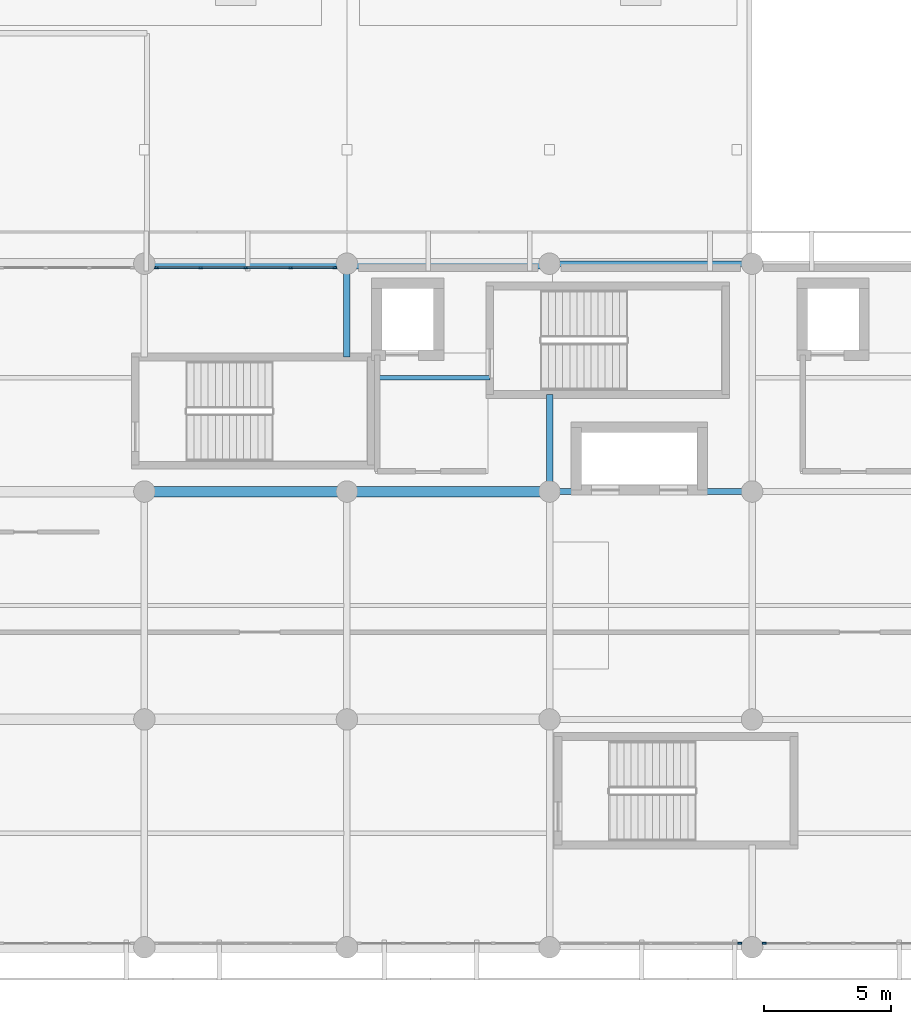
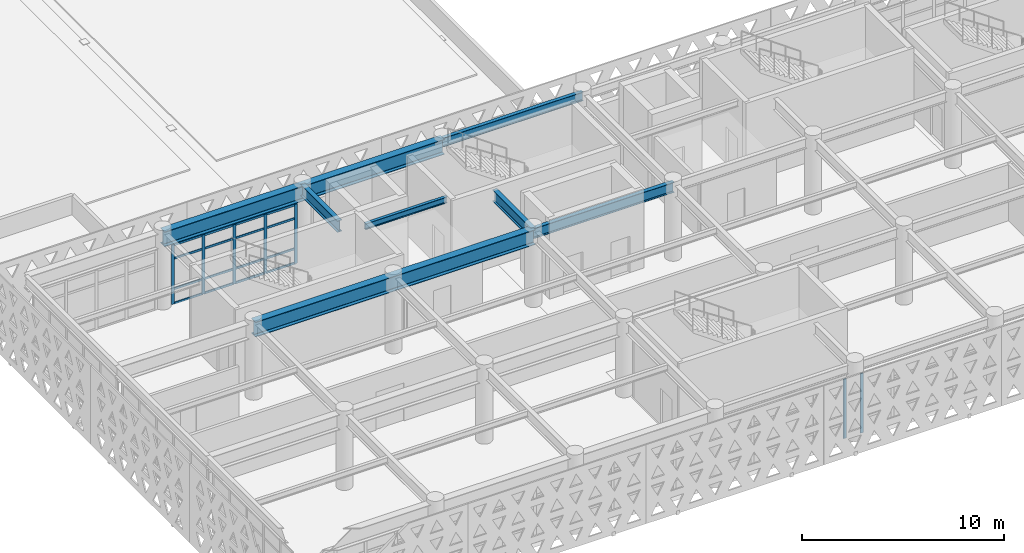
# One storey, part 10 of 54: 23 members, 7 beams, 3 elements without a shape of their own.
"""IFC4 building model written with IfcOpenShell, lengths in metres."""

from ifc_helpers import new_model, si_unit, direction, frame, origin, origin_2d, place, context, subcontext, project, spatial, rectangle, i_section, extrude, material, layer, layer_set, material_profile, profile_set, type_object, element, aggregate, save


model = new_model("IFC4")

# Units and contexts
model_context = context("Model", 3, precision=1e-05, world=origin(), true_north=direction((0.0, 1.0)))
body_context = subcontext(model_context, "Body", "Model", "MODEL_VIEW")
ifc_project = project(units=[si_unit("LENGTHUNIT", "METRE"), si_unit("AREAUNIT", "SQUARE_METRE"), si_unit("VOLUMEUNIT", "CUBIC_METRE"), si_unit("PLANEANGLEUNIT", "RADIAN"), si_unit("MASSUNIT", "GRAM", prefix="KILO")], contexts=[model_context])

# Site, building, storey
site_placement = place(None, origin())
site = spatial("IfcSite", under=ifc_project, at=site_placement, CompositionType="ELEMENT")
building_placement = place(site_placement, origin())
building = spatial("IfcBuilding", under=site, at=building_placement, Name="Tlacozan Convention Centre", CompositionType="ELEMENT")
storey_placement = place(building_placement, frame((0.0, 0.0, 11.39990234375)))
storey = spatial("IfcBuildingStorey", under=building, at=storey_placement, Name="L02", CompositionType="ELEMENT", Elevation=11.39990234375)

# Curtain wall, member
ifc_material_1 = material(Name="Dark Bronze Anodised Aluminium", Category="aluminium")
ifc_layer = layer(ifc_material_1, 0.159912109375)
ifc_layer_set = layer_set([ifc_layer], Name="Dark Bronze Anodised Aluminium")
curtain_wall_type = type_object("IfcCurtainWallType", Name="Unitised Congress L02 South CW03", PredefinedType="NOTDEFINED", material=ifc_layer_set)
curtain_wall_1_placement = place(storey_placement, origin())
curtain_wall_1 = element("IfcCurtainWall", 1, at=curtain_wall_1_placement, inside=storey, type_object=curtain_wall_type, Name="L02 CW-03 Run 81", PredefinedType="NOTDEFINED")
ifc_material_profile_1 = material_profile(ifc_material_1, rectangle(XDim=0.06494140625, YDim=0.159912109375, at=origin_2d()), Name="ALU 65x160")
ifc_profile_set_1 = profile_set([ifc_material_profile_1], Name="Dark Bronze Anodised Aluminium")
member_type_1 = type_object("IfcMemberType", Name="Curtain Wall Mullion 65x160", PredefinedType="MULLION", material=ifc_profile_set_1)
member_1_placement = place(storey_placement, frame((31.517578125, 0.159912109375, 0.0), z_axis=(0.0, 0.0, 1.0), x_axis=(0.0, 1.0, 0.0)))
member_1 = element("IfcMember", 2, at=member_1_placement, type_object=member_type_1, Name="CW-03 mullion 5", PredefinedType="MULLION", context=body_context, shape_type="SweptSolid", body=[
    extrude(rectangle(XDim=0.06494140625, YDim=0.159912109375, at=origin_2d()), origin(), (0.0, 0.0, 1.0), 3.590087890625),
])
aggregate(curtain_wall_1, [member_1])

curtain_wall_2_placement = place(storey_placement, origin())
curtain_wall_2 = element("IfcCurtainWall", 3, at=curtain_wall_2_placement, inside=storey, type_object=curtain_wall_type, Name="L02 CW-03 Run 82", PredefinedType="NOTDEFINED")
member_2_placement = place(storey_placement, frame((32.482421875, 0.159912109375, 0.0), z_axis=(0.0, 0.0, 1.0), x_axis=(0.0, 1.0, 0.0)))
member_2 = element("IfcMember", 4, at=member_2_placement, type_object=member_type_1, Name="CW-03 mullion 1", PredefinedType="MULLION", context=body_context, shape_type="SweptSolid", body=[
    extrude(rectangle(XDim=0.06494140625, YDim=0.159912109375, at=origin_2d()), origin(), (0.0, 0.0, 1.0), 3.590087890625),
])
aggregate(curtain_wall_2, [member_2])

# Curtain wall, members
curtain_wall_3_placement = place(storey_placement, origin())
curtain_wall_3 = element("IfcCurtainWall", 5, at=curtain_wall_3_placement, inside=storey, type_object=curtain_wall_type, Name="L02 CW-03 Run 94", PredefinedType="NOTDEFINED")
member_3_placement = place(storey_placement, frame((8.482421875, 26.840087890625, 0.0), z_axis=(0.0, 0.0, 1.0), x_axis=(0.0, 1.0, 0.0)))
member_3 = element("IfcMember", 6, at=member_3_placement, type_object=member_type_1, Name="CW-03 mullion 1", PredefinedType="MULLION", context=body_context, shape_type="SweptSolid", body=[
    extrude(rectangle(XDim=0.06494140625, YDim=0.159912109375, at=origin_2d()), origin(), (0.0, 0.0, 1.0), 3.590087890625),
])
member_4_placement = place(storey_placement, frame((10.22509765625, 26.840087890625, 0.0), z_axis=(0.0, 0.0, 1.0), x_axis=(0.0, 1.0, 0.0)))
member_4 = element("IfcMember", 7, at=member_4_placement, type_object=member_type_1, Name="CW-03 mullion 2", PredefinedType="MULLION", context=body_context, shape_type="SweptSolid", body=[
    extrude(rectangle(XDim=0.06494140625, YDim=0.159912109375, at=origin_2d()), origin(), (0.0, 0.0, 1.0), 3.590087890625),
])
member_5_placement = place(storey_placement, frame((12.0, 26.840087890625, 0.0), z_axis=(0.0, 0.0, 1.0), x_axis=(0.0, 1.0, 0.0)))
member_5 = element("IfcMember", 8, at=member_5_placement, type_object=member_type_1, Name="CW-03 mullion 3", PredefinedType="MULLION", context=body_context, shape_type="SweptSolid", body=[
    extrude(rectangle(XDim=0.06494140625, YDim=0.159912109375, at=origin_2d()), origin(), (0.0, 0.0, 1.0), 3.590087890625),
])
member_6_placement = place(storey_placement, frame((13.77490234375, 26.840087890625, 0.0), z_axis=(0.0, 0.0, 1.0), x_axis=(0.0, 1.0, 0.0)))
member_6 = element("IfcMember", 9, at=member_6_placement, type_object=member_type_1, Name="CW-03 mullion 4", PredefinedType="MULLION", context=body_context, shape_type="SweptSolid", body=[
    extrude(rectangle(XDim=0.06494140625, YDim=0.159912109375, at=origin_2d()), origin(), (0.0, 0.0, 1.0), 3.590087890625),
])
member_7_placement = place(storey_placement, frame((15.517578125, 26.840087890625, 0.0), z_axis=(0.0, 0.0, 1.0), x_axis=(0.0, 1.0, 0.0)))
member_7 = element("IfcMember", 10, at=member_7_placement, type_object=member_type_1, Name="CW-03 mullion 5", PredefinedType="MULLION", context=body_context, shape_type="SweptSolid", body=[
    extrude(rectangle(XDim=0.06494140625, YDim=0.159912109375, at=origin_2d()), origin(), (0.0, 0.0, 1.0), 3.590087890625),
])
ifc_material_profile_2 = material_profile(ifc_material_1, rectangle(XDim=0.06494140625, YDim=0.125, at=origin_2d()), Name="ALU 65x125")
ifc_profile_set_2 = profile_set([ifc_material_profile_2], Name="Dark Bronze Anodised Aluminium")
member_type_2 = type_object("IfcMemberType", Name="Curtain Wall Transom 65x125", PredefinedType="USERDEFINED", material=ifc_profile_set_2)
member_8_placement = place(storey_placement, frame((8.514892578125, 26.840087890625, 0.03271484375), z_axis=(1.0, 0.0, 0.0), x_axis=(0.0, 1.0, 0.0)))
member_8 = element("IfcMember", 11, at=member_8_placement, type_object=member_type_2, Name="CW-03 transom 1.1", ObjectType="TRANSOM", PredefinedType="USERDEFINED", context=body_context, shape_type="SweptSolid", body=[
    extrude(rectangle(XDim=0.06494140625, YDim=0.125, at=origin_2d()), origin(), (0.0, 0.0, 1.0), 1.677490234375),
])
member_9_placement = place(storey_placement, frame((8.514892578125, 26.840087890625, 0.900146484375), z_axis=(1.0, 0.0, 0.0), x_axis=(0.0, 1.0, 0.0)))
member_9 = element("IfcMember", 12, at=member_9_placement, type_object=member_type_2, Name="CW-03 transom 1.2", ObjectType="TRANSOM", PredefinedType="USERDEFINED", context=body_context, shape_type="SweptSolid", body=[
    extrude(rectangle(XDim=0.06494140625, YDim=0.125, at=origin_2d()), origin(), (0.0, 0.0, 1.0), 1.677490234375),
])
member_10_placement = place(storey_placement, frame((8.514892578125, 26.840087890625, 2.739990234375), z_axis=(1.0, 0.0, 0.0), x_axis=(0.0, 1.0, 0.0)))
member_10 = element("IfcMember", 13, at=member_10_placement, type_object=member_type_2, Name="CW-03 transom 1.3", ObjectType="TRANSOM", PredefinedType="USERDEFINED", context=body_context, shape_type="SweptSolid", body=[
    extrude(rectangle(XDim=0.06494140625, YDim=0.125, at=origin_2d()), origin(), (0.0, 0.0, 1.0), 1.677490234375),
])
member_11_placement = place(storey_placement, frame((8.514892578125, 26.840087890625, 3.5576171875), z_axis=(1.0, 0.0, 0.0), x_axis=(0.0, 1.0, 0.0)))
member_11 = element("IfcMember", 14, at=member_11_placement, type_object=member_type_2, Name="CW-03 transom 1.4", ObjectType="TRANSOM", PredefinedType="USERDEFINED", context=body_context, shape_type="SweptSolid", body=[
    extrude(rectangle(XDim=0.06494140625, YDim=0.125, at=origin_2d()), origin(), (0.0, 0.0, 1.0), 1.677490234375),
])
member_12_placement = place(storey_placement, frame((10.257568359375, 26.840087890625, 0.03271484375), z_axis=(1.0, 0.0, 0.0), x_axis=(0.0, 1.0, 0.0)))
member_12 = element("IfcMember", 15, at=member_12_placement, type_object=member_type_2, Name="CW-03 transom 2.1", ObjectType="TRANSOM", PredefinedType="USERDEFINED", context=body_context, shape_type="SweptSolid", body=[
    extrude(rectangle(XDim=0.06494140625, YDim=0.125, at=origin_2d()), origin(), (0.0, 0.0, 1.0), 1.7099609375),
])
member_13_placement = place(storey_placement, frame((10.257568359375, 26.840087890625, 0.900146484375), z_axis=(1.0, 0.0, 0.0), x_axis=(0.0, 1.0, 0.0)))
member_13 = element("IfcMember", 16, at=member_13_placement, type_object=member_type_2, Name="CW-03 transom 2.2", ObjectType="TRANSOM", PredefinedType="USERDEFINED", context=body_context, shape_type="SweptSolid", body=[
    extrude(rectangle(XDim=0.06494140625, YDim=0.125, at=origin_2d()), origin(), (0.0, 0.0, 1.0), 1.7099609375),
])
member_14_placement = place(storey_placement, frame((10.257568359375, 26.840087890625, 2.739990234375), z_axis=(1.0, 0.0, 0.0), x_axis=(0.0, 1.0, 0.0)))
member_14 = element("IfcMember", 17, at=member_14_placement, type_object=member_type_2, Name="CW-03 transom 2.3", ObjectType="TRANSOM", PredefinedType="USERDEFINED", context=body_context, shape_type="SweptSolid", body=[
    extrude(rectangle(XDim=0.06494140625, YDim=0.125, at=origin_2d()), origin(), (0.0, 0.0, 1.0), 1.7099609375),
])
member_15_placement = place(storey_placement, frame((10.257568359375, 26.840087890625, 3.5576171875), z_axis=(1.0, 0.0, 0.0), x_axis=(0.0, 1.0, 0.0)))
member_15 = element("IfcMember", 18, at=member_15_placement, type_object=member_type_2, Name="CW-03 transom 2.4", ObjectType="TRANSOM", PredefinedType="USERDEFINED", context=body_context, shape_type="SweptSolid", body=[
    extrude(rectangle(XDim=0.06494140625, YDim=0.125, at=origin_2d()), origin(), (0.0, 0.0, 1.0), 1.7099609375),
])
member_16_placement = place(storey_placement, frame((12.032470703125, 26.840087890625, 0.03271484375), z_axis=(1.0, 0.0, 0.0), x_axis=(0.0, 1.0, 0.0)))
member_16 = element("IfcMember", 19, at=member_16_placement, type_object=member_type_2, Name="CW-03 transom 3.1", ObjectType="TRANSOM", PredefinedType="USERDEFINED", context=body_context, shape_type="SweptSolid", body=[
    extrude(rectangle(XDim=0.06494140625, YDim=0.125, at=origin_2d()), origin(), (0.0, 0.0, 1.0), 1.7099609375),
])
member_17_placement = place(storey_placement, frame((12.032470703125, 26.840087890625, 0.900146484375), z_axis=(1.0, 0.0, 0.0), x_axis=(0.0, 1.0, 0.0)))
member_17 = element("IfcMember", 20, at=member_17_placement, type_object=member_type_2, Name="CW-03 transom 3.2", ObjectType="TRANSOM", PredefinedType="USERDEFINED", context=body_context, shape_type="SweptSolid", body=[
    extrude(rectangle(XDim=0.06494140625, YDim=0.125, at=origin_2d()), origin(), (0.0, 0.0, 1.0), 1.7099609375),
])
member_18_placement = place(storey_placement, frame((12.032470703125, 26.840087890625, 2.739990234375), z_axis=(1.0, 0.0, 0.0), x_axis=(0.0, 1.0, 0.0)))
member_18 = element("IfcMember", 21, at=member_18_placement, type_object=member_type_2, Name="CW-03 transom 3.3", ObjectType="TRANSOM", PredefinedType="USERDEFINED", context=body_context, shape_type="SweptSolid", body=[
    extrude(rectangle(XDim=0.06494140625, YDim=0.125, at=origin_2d()), origin(), (0.0, 0.0, 1.0), 1.7099609375),
])
member_19_placement = place(storey_placement, frame((12.032470703125, 26.840087890625, 3.5576171875), z_axis=(1.0, 0.0, 0.0), x_axis=(0.0, 1.0, 0.0)))
member_19 = element("IfcMember", 22, at=member_19_placement, type_object=member_type_2, Name="CW-03 transom 3.4", ObjectType="TRANSOM", PredefinedType="USERDEFINED", context=body_context, shape_type="SweptSolid", body=[
    extrude(rectangle(XDim=0.06494140625, YDim=0.125, at=origin_2d()), origin(), (0.0, 0.0, 1.0), 1.7099609375),
])
member_20_placement = place(storey_placement, frame((13.8076171875, 26.840087890625, 0.03271484375), z_axis=(1.0, 0.0, 0.0), x_axis=(0.0, 1.0, 0.0)))
member_20 = element("IfcMember", 23, at=member_20_placement, type_object=member_type_2, Name="CW-03 transom 4.1", ObjectType="TRANSOM", PredefinedType="USERDEFINED", context=body_context, shape_type="SweptSolid", body=[
    extrude(rectangle(XDim=0.06494140625, YDim=0.125, at=origin_2d()), origin(), (0.0, 0.0, 1.0), 1.677490234375),
])
member_21_placement = place(storey_placement, frame((13.8076171875, 26.840087890625, 0.900146484375), z_axis=(1.0, 0.0, 0.0), x_axis=(0.0, 1.0, 0.0)))
member_21 = element("IfcMember", 24, at=member_21_placement, type_object=member_type_2, Name="CW-03 transom 4.2", ObjectType="TRANSOM", PredefinedType="USERDEFINED", context=body_context, shape_type="SweptSolid", body=[
    extrude(rectangle(XDim=0.06494140625, YDim=0.125, at=origin_2d()), origin(), (0.0, 0.0, 1.0), 1.677490234375),
])
member_22_placement = place(storey_placement, frame((13.8076171875, 26.840087890625, 2.739990234375), z_axis=(1.0, 0.0, 0.0), x_axis=(0.0, 1.0, 0.0)))
member_22 = element("IfcMember", 25, at=member_22_placement, type_object=member_type_2, Name="CW-03 transom 4.3", ObjectType="TRANSOM", PredefinedType="USERDEFINED", context=body_context, shape_type="SweptSolid", body=[
    extrude(rectangle(XDim=0.06494140625, YDim=0.125, at=origin_2d()), origin(), (0.0, 0.0, 1.0), 1.677490234375),
])
member_23_placement = place(storey_placement, frame((13.8076171875, 26.840087890625, 3.5576171875), z_axis=(1.0, 0.0, 0.0), x_axis=(0.0, 1.0, 0.0)))
member_23 = element("IfcMember", 26, at=member_23_placement, type_object=member_type_2, Name="CW-03 transom 4.4", ObjectType="TRANSOM", PredefinedType="USERDEFINED", context=body_context, shape_type="SweptSolid", body=[
    extrude(rectangle(XDim=0.06494140625, YDim=0.125, at=origin_2d()), origin(), (0.0, 0.0, 1.0), 1.677490234375),
])
aggregate(curtain_wall_3, [member_3, member_4, member_5, member_6, member_7, member_8, member_9, member_10, member_11, member_12, member_13, member_14, member_15, member_16, member_17, member_18, member_19, member_20, member_21, member_22, member_23])

# Beams
ifc_material_2 = material(Name="Steel ASTM A992 Grade 50", Category="steel")
ifc_material_profile_3 = material_profile(ifc_material_2, i_section(OverallWidth=0.22900390625, OverallDepth=0.612060546875, WebThickness=0.011962890625, FlangeThickness=0.01953125, FilletRadius=0.012939453125, at=origin_2d()), Name="IR 610x125.0")
ifc_profile_set_3 = profile_set([ifc_material_profile_3], Name="Steel ASTM A992 Grade 50")
beam_type_1 = type_object("IfcBeamType", Name="Floor Beam IR 610x125", PredefinedType="BEAM", material=ifc_profile_set_3)
beam_1_placement = place(storey_placement, frame((24.0, 18.0, 4.244140625), z_axis=(1.0, 0.0, 0.0), x_axis=(0.0, 1.0, 0.0)))
element("IfcBeam", 27, at=beam_1_placement, inside=storey, type_object=beam_type_1, Name="L02 Floor Beam IR 610x125 466", PredefinedType="BEAM", context=body_context, shape_type="SweptSolid", body=[
    extrude(i_section(OverallWidth=0.22900390625, OverallDepth=0.612060546875, WebThickness=0.011962890625, FlangeThickness=0.01953125, FilletRadius=0.012939453125, at=origin_2d()), origin(), (0.0, 0.0, 1.0), 8.0),
])
ifc_material_profile_4 = material_profile(ifc_material_2, i_section(OverallWidth=0.256103515625, OverallDepth=0.693115234375, WebThickness=0.014404296875, FlangeThickness=0.023681640625, FilletRadius=0.014892578125, at=origin_2d()), Name="IR 686x170.0")
ifc_profile_set_4 = profile_set([ifc_material_profile_4], Name="Steel ASTM A992 Grade 50")
beam_type_2 = type_object("IfcBeamType", Name="Girder Steel IR 686x170", PredefinedType="BEAM", material=ifc_profile_set_4)
beam_2_placement = place(storey_placement, frame((16.0, 23.320068359375, 4.20361328125), z_axis=(0.0, 1.0, 0.0), x_axis=(-1.0, 0.0, 0.0)))
element("IfcBeam", 28, at=beam_2_placement, inside=storey, type_object=beam_type_2, Name="L02 Girder Steel IR 686x170 405", PredefinedType="BEAM", context=body_context, shape_type="SweptSolid", body=[
    extrude(i_section(OverallWidth=0.256103515625, OverallDepth=0.693115234375, WebThickness=0.014404296875, FlangeThickness=0.023681640625, FilletRadius=0.014892578125, at=origin_2d()), origin(), (0.0, 0.0, 1.0), 3.679931640625),
])
beam_3_placement = place(storey_placement, frame((24.0, 18.0, 4.20361328125), z_axis=(0.0, 1.0, 0.0), x_axis=(-1.0, 0.0, 0.0)))
element("IfcBeam", 29, at=beam_3_placement, inside=storey, type_object=beam_type_2, Name="L02 Girder Steel IR 686x170 408", PredefinedType="BEAM", context=body_context, shape_type="SweptSolid", body=[
    extrude(i_section(OverallWidth=0.256103515625, OverallDepth=0.693115234375, WebThickness=0.014404296875, FlangeThickness=0.023681640625, FilletRadius=0.014892578125, at=origin_2d()), origin(), (0.0, 0.0, 1.0), 3.840087890625),
])
ifc_material_profile_5 = material_profile(ifc_material_2, i_section(OverallWidth=0.2109375, OverallDepth=0.5390625, WebThickness=0.01171875, FlangeThickness=0.018798828125, FilletRadius=0.012939453125, at=origin_2d()), Name="IR 533x109.0")
ifc_profile_set_5 = profile_set([ifc_material_profile_5], Name="Steel ASTM A992 Grade 50")
beam_type_3 = type_object("IfcBeamType", Name="Perimeter Spandrel IR 533x109", PredefinedType="SPANDREL", material=ifc_profile_set_5)
beam_4_placement = place(storey_placement, frame((24.0, 27.0, 4.280517578125), z_axis=(1.0, 0.0, 0.0), x_axis=(0.0, 1.0, 0.0)))
element("IfcBeam", 30, at=beam_4_placement, inside=storey, type_object=beam_type_3, Name="L02 Perimeter Spandrel IR 533x109 467", PredefinedType="SPANDREL", context=body_context, shape_type="SweptSolid", body=[
    extrude(i_section(OverallWidth=0.2109375, OverallDepth=0.5390625, WebThickness=0.01171875, FlangeThickness=0.018798828125, FilletRadius=0.012939453125, at=origin_2d()), origin(), (0.0, 0.0, 1.0), 8.0),
])
ifc_material_profile_6 = material_profile(ifc_material_2, i_section(OverallWidth=0.173095703125, OverallDepth=0.364013671875, WebThickness=0.009033203125, FlangeThickness=0.015625, FilletRadius=0.010009765625, at=origin_2d()), Name="IR 356x67.1")
ifc_profile_set_6 = profile_set([ifc_material_profile_6], Name="Steel ASTM A992 Grade 50")
beam_type_4 = type_object("IfcBeamType", Name="Secondary Joist IR 356x67.1", PredefinedType="JOIST", material=ifc_profile_set_6)
beam_5_placement = place(storey_placement, frame((16.9599609375, 22.5, 4.3681640625), z_axis=(1.0, 0.0, 0.0), x_axis=(0.0, 1.0, 0.0)))
element("IfcBeam", 31, at=beam_5_placement, inside=storey, type_object=beam_type_4, Name="L02 Secondary Joist IR 356x67.1 507", PredefinedType="JOIST", context=body_context, shape_type="SweptSolid", body=[
    extrude(i_section(OverallWidth=0.173095703125, OverallDepth=0.364013671875, WebThickness=0.009033203125, FlangeThickness=0.015625, FilletRadius=0.010009765625, at=origin_2d()), origin(), (0.0, 0.0, 1.0), 4.679931640625),
])
ifc_material_profile_7 = material_profile(ifc_material_2, i_section(OverallWidth=0.41796875, OverallDepth=0.912109375, WebThickness=0.019287109375, FlangeThickness=0.031982421875, FilletRadius=0.02001953125, at=origin_2d()), Name="IR 914x342.0")
ifc_profile_set_7 = profile_set([ifc_material_profile_7], Name="Steel ASTM A992 Grade 50")
beam_type_5 = type_object("IfcBeamType", Name="Transfer Girder IR 914x342", PredefinedType="BEAM", material=ifc_profile_set_7)
for number, where, z_axis, x_axis, name in (
    (32, (24.0, 18.0, 4.093994140625), (-1.0, 0.0, 0.0), (0.0, -1.0, 0.0), "L02 Transfer Girder IR 914x342 456"),
    (33, (24.0, 27.0, 4.093994140625), (-1.0, 0.0, 0.0), (0.0, -1.0, 0.0), "L02 Transfer Girder IR 914x342 460"),
):
    element("IfcBeam", number, at=place(storey_placement, frame(where, z_axis=z_axis, x_axis=x_axis)), inside=storey, type_object=beam_type_5, Name=name, PredefinedType="BEAM", context=body_context, shape_type="SweptSolid", body=[
        extrude(i_section(OverallWidth=0.41796875, OverallDepth=0.912109375, WebThickness=0.019287109375, FlangeThickness=0.031982421875, FilletRadius=0.02001953125, at=origin_2d()), origin(), (0.0, 0.0, 1.0), 16.0),
    ])

save(model, "model.ifc")
